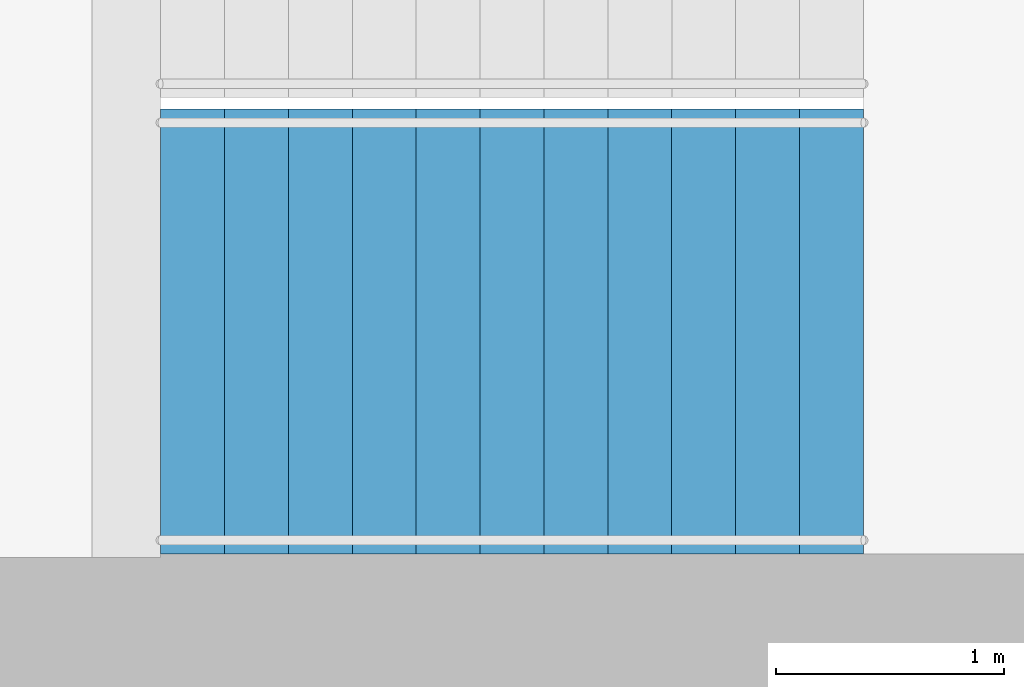
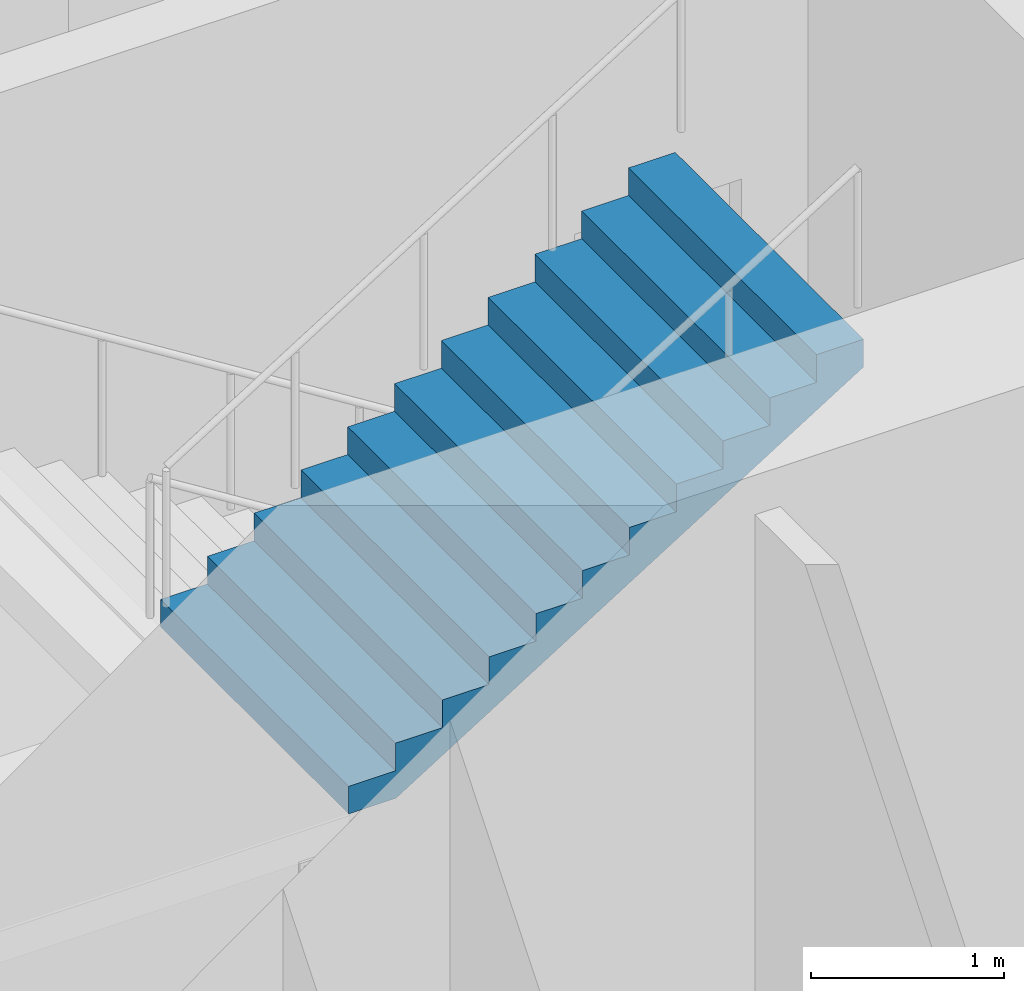
# One storey, part 21 of 23: 1 stair flight, 1 element without a shape of its own.
"""IFC4 building model written with IfcOpenShell, lengths in metres."""

from ifc_helpers import new_model, si_unit, direction, frame, origin, place, context, subcontext, project, spatial, triangles, material, type_object, element, aggregate, save


model = new_model("IFC4")

# Units and contexts
model_context = context("Model", 3, precision=1e-05, world=origin(), true_north=direction((0.0, 1.0)))
body_context = subcontext(model_context, "Body", "Model", "MODEL_VIEW")
ifc_project = project(units=[si_unit("LENGTHUNIT", "METRE"), si_unit("AREAUNIT", "SQUARE_METRE"), si_unit("VOLUMEUNIT", "CUBIC_METRE"), si_unit("PLANEANGLEUNIT", "RADIAN"), si_unit("MASSUNIT", "GRAM", prefix="KILO")], contexts=[model_context])

# Site, building, storey
site_placement = place(None, origin())
site = spatial("IfcSite", under=ifc_project, at=site_placement, CompositionType="ELEMENT")
building_placement = place(site_placement, origin())
building = spatial("IfcBuilding", under=site, at=building_placement, Name="Orbita Commons", CompositionType="ELEMENT")
storey_placement = place(building_placement, frame((0.0, 0.0, 16.0)))
storey = spatial("IfcBuildingStorey", under=building, at=storey_placement, Name="L03", CompositionType="ELEMENT", Elevation=16.0)

# Stair, stair flight
ifc_material_1 = material(Name="Precast concrete C40/50", Category="concrete")
stair_type = type_object("IfcStairType", Name="Exit stair S2 2 flights 12 risers 175", PredefinedType="HALF_TURN_STAIR", material=ifc_material_1)
stair_placement = place(storey_placement, origin())
stair = element("IfcStair", 1, at=stair_placement, inside=storey, type_object=stair_type, Name="Exit stair S2 L03", PredefinedType="HALF_TURN_STAIR")
ifc_material_2 = material(Name="Precast concrete C40/50", Category="concrete")
stair_flight_type = type_object("IfcStairFlightType", Name="Stair flight 12 risers 175 x 280", PredefinedType="STRAIGHT", material=ifc_material_2)
stair_flight_placement = place(storey_placement, frame((60.469970703125, 27.27490234375, 2.10009765625), z_axis=(0.0, 0.0, 1.0), x_axis=(1.0, 0.0, 0.0)))
stair_flight = element("IfcStairFlight", 2, at=stair_flight_placement, type_object=stair_flight_type, Name="S2 flight 2", NumberOfRisers=12, NumberOfTreads=11, PredefinedType="STRAIGHT", RiserHeight=0.175, TreadLength=0.28, context=body_context, shape_type="Tessellation", body=[
    triangles([(0.0, 0.974976, 0.0), (0.0, 0.974976, 0.021875), (0.0, 0.81248, 0.021875), (0.0, 0.81248, 0.0), (0.0, 0.649984, 0.021875), (0.0, 0.649984, 0.0), (0.0, 0.487488, 0.021875), (0.0, 0.487488, 0.0), (0.0, 0.324992, 0.021875), (0.0, 0.324992, 0.0), (0.0, 0.162496, 0.021875), (0.0, 0.162496, 0.0), (0.0, 0.0, 0.021875), (0.0, 0.0, 0.0), (0.0, -0.162496, 0.021875), (0.0, -0.162496, 0.0), (0.0, -0.324992, 0.021875), (0.0, -0.324992, 0.0), (0.0, -0.487488, 0.021875), (0.0, -0.487488, 0.0), (0.0, -0.649984, 0.021875), (0.0, -0.649984, 0.0), (0.0, -0.81248, 0.021875), (0.0, -0.81248, 0.0), (0.0, -0.974976, 0.021875), (0.0, -0.974976, 0.0), (0.0, 0.974976, 0.04375), (0.0, 0.81248, 0.04375), (0.0, 0.649984, 0.04375), (0.0, 0.487488, 0.04375), (0.0, 0.324992, 0.04375), (0.0, 0.162496, 0.04375), (0.0, 0.0, 0.04375), (0.0, -0.162496, 0.04375), (0.0, -0.324992, 0.04375), (0.0, -0.487488, 0.04375), (0.0, -0.649984, 0.04375), (0.0, -0.81248, 0.04375), (0.0, -0.974976, 0.04375), (0.0, 0.974976, 0.065625), (0.0, 0.81248, 0.065625), (0.0, 0.649984, 0.065625), (0.0, 0.487488, 0.065625), (0.0, 0.324992, 0.065625), (0.0, 0.162496, 0.065625), (0.0, 0.0, 0.065625), (0.0, -0.162496, 0.065625), (0.0, -0.324992, 0.065625), (0.0, -0.487488, 0.065625), (0.0, -0.649984, 0.065625), (0.0, -0.81248, 0.065625), (0.0, -0.974976, 0.065625), (0.0, 0.974976, 0.0875), (0.0, 0.81248, 0.0875), (0.0, 0.649984, 0.0875), (0.0, 0.487488, 0.0875), (0.0, 0.324992, 0.0875), (0.0, 0.162496, 0.0875), (0.0, 0.0, 0.0875), (0.0, -0.162496, 0.0875), (0.0, -0.324992, 0.0875), (0.0, -0.487488, 0.0875), (0.0, -0.649984, 0.0875), (0.0, -0.81248, 0.0875), (0.0, -0.974976, 0.0875), (0.0, 0.974976, 0.109375), (0.0, 0.81248, 0.109375), (0.0, 0.649984, 0.109375), (0.0, 0.487488, 0.109375), (0.0, 0.324992, 0.109375), (0.0, 0.162496, 0.109375), (0.0, 0.0, 0.109375), (0.0, -0.162496, 0.109375), (0.0, -0.324992, 0.109375), (0.0, -0.487488, 0.109375), (0.0, -0.649984, 0.109375), (0.0, -0.81248, 0.109375), (0.0, -0.974976, 0.109375), (0.0, 0.974976, 0.13125), (0.0, 0.81248, 0.13125), (0.0, 0.649984, 0.13125), (0.0, 0.487488, 0.13125), (0.0, 0.324992, 0.13125), (0.0, 0.162496, 0.13125), (0.0, 0.0, 0.13125), (0.0, -0.162496, 0.13125), (0.0, -0.324992, 0.13125), (0.0, -0.487488, 0.13125), (0.0, -0.649984, 0.13125), (0.0, -0.81248, 0.13125), (0.0, -0.974976, 0.13125), (0.0, 0.974976, 0.153125), (0.0, 0.81248, 0.153125), (0.0, 0.649984, 0.153125), (0.0, 0.487488, 0.153125), (0.0, 0.324992, 0.153125), (0.0, 0.162496, 0.153125), (0.0, 0.0, 0.153125), (0.0, -0.162496, 0.153125), (0.0, -0.324992, 0.153125), (0.0, -0.487488, 0.153125), (0.0, -0.649984, 0.153125), (0.0, -0.81248, 0.153125), (0.0, -0.974976, 0.153125), (0.0, 0.974976, 0.175), (0.0, 0.81248, 0.175), (0.0, 0.649984, 0.175), (0.0, 0.487488, 0.175), (0.0, 0.324992, 0.175), (0.0, 0.162496, 0.175), (0.0, 0.0, 0.175), (0.0, -0.162496, 0.175), (0.0, -0.324992, 0.175), (0.0, -0.487488, 0.175), (0.0, -0.649984, 0.175), (0.0, -0.81248, 0.175), (0.0, -0.974976, 0.175), (0.28, 0.974976, 0.175), (0.28, 0.81248, 0.175), (0.28, 0.649984, 0.175), (0.28, 0.487488, 0.175), (0.28, 0.324992, 0.175), (0.28, 0.162496, 0.175), (0.28, 0.0, 0.175), (0.28, -0.162496, 0.175), (0.28, -0.324992, 0.175), (0.28, -0.487488, 0.175), (0.28, -0.649984, 0.175), (0.28, -0.81248, 0.175), (0.28, -0.974976, 0.175), (0.28, 0.974976, 0.35), (0.28, 0.81248, 0.35), (0.28, 0.649984, 0.35), (0.28, 0.487488, 0.35), (0.28, 0.324992, 0.35), (0.28, 0.162496, 0.35), (0.28, 0.0, 0.35), (0.28, -0.162496, 0.35), (0.28, -0.324992, 0.35), (0.28, -0.487488, 0.35), (0.28, -0.649984, 0.35), (0.28, -0.81248, 0.35), (0.28, -0.974976, 0.35), (0.56, 0.974976, 0.35), (0.56, 0.81248, 0.35), (0.56, 0.649984, 0.35), (0.56, 0.487488, 0.35), (0.56, 0.324992, 0.35), (0.56, 0.162496, 0.35), (0.56, 0.0, 0.35), (0.56, -0.162496, 0.35), (0.56, -0.324992, 0.35), (0.56, -0.487488, 0.35), (0.56, -0.649984, 0.35), (0.56, -0.81248, 0.35), (0.56, -0.974976, 0.35), (0.56, 0.974976, 0.525), (0.56, 0.81248, 0.525), (0.56, 0.649984, 0.525), (0.56, 0.487488, 0.525), (0.56, 0.324992, 0.525), (0.56, 0.162496, 0.525), (0.56, 0.0, 0.525), (0.56, -0.162496, 0.525), (0.56, -0.324992, 0.525), (0.56, -0.487488, 0.525), (0.56, -0.649984, 0.525), (0.56, -0.81248, 0.525), (0.56, -0.974976, 0.525), (0.84, 0.974976, 0.525), (0.84, 0.81248, 0.525), (0.84, 0.649984, 0.525), (0.84, 0.487488, 0.525), (0.84, 0.324992, 0.525), (0.84, 0.162496, 0.525), (0.84, 0.0, 0.525), (0.84, -0.162496, 0.525), (0.84, -0.324992, 0.525), (0.84, -0.487488, 0.525), (0.84, -0.649984, 0.525), (0.84, -0.81248, 0.525), (0.84, -0.974976, 0.525), (0.84, 0.974976, 0.7), (0.84, 0.81248, 0.7), (0.84, 0.649984, 0.7), (0.84, 0.487488, 0.7), (0.84, 0.324992, 0.7), (0.84, 0.162496, 0.7), (0.84, 0.0, 0.7), (0.84, -0.162496, 0.7), (0.84, -0.324992, 0.7), (0.84, -0.487488, 0.7), (0.84, -0.649984, 0.7), (0.84, -0.81248, 0.7), (0.84, -0.974976, 0.7), (1.12, 0.974976, 0.7), (1.12, 0.81248, 0.7), (1.12, 0.649984, 0.7), (1.12, 0.487488, 0.7), (1.12, 0.324992, 0.7), (1.12, 0.162496, 0.7), (1.12, 0.0, 0.7), (1.12, -0.162496, 0.7), (1.12, -0.324992, 0.7), (1.12, -0.487488, 0.7), (1.12, -0.649984, 0.7), (1.12, -0.81248, 0.7), (1.12, -0.974976, 0.7), (1.12, 0.974976, 0.875), (1.12, 0.81248, 0.875), (1.12, 0.649984, 0.875), (1.12, 0.487488, 0.875), (1.12, 0.324992, 0.875), (1.12, 0.162496, 0.875), (1.12, 0.0, 0.875), (1.12, -0.162496, 0.875), (1.12, -0.324992, 0.875), (1.12, -0.487488, 0.875), (1.12, -0.649984, 0.875), (1.12, -0.81248, 0.875), (1.12, -0.974976, 0.875), (1.4, 0.974976, 0.875), (1.4, 0.81248, 0.875), (1.4, 0.649984, 0.875), (1.4, 0.487488, 0.875), (1.4, 0.324992, 0.875), (1.4, 0.162496, 0.875), (1.4, 0.0, 0.875), (1.4, -0.162496, 0.875), (1.4, -0.324992, 0.875), (1.4, -0.487488, 0.875), (1.4, -0.649984, 0.875), (1.4, -0.81248, 0.875), (1.4, -0.974976, 0.875), (1.4, 0.974976, 1.05), (1.4, 0.81248, 1.05), (1.4, 0.649984, 1.05), (1.4, 0.487488, 1.05), (1.4, 0.324992, 1.05), (1.4, 0.162496, 1.05), (1.4, 0.0, 1.05), (1.4, -0.162496, 1.05), (1.4, -0.324992, 1.05), (1.4, -0.487488, 1.05), (1.4, -0.649984, 1.05), (1.4, -0.81248, 1.05), (1.4, -0.974976, 1.05), (1.68, 0.974976, 1.05), (1.68, 0.81248, 1.05), (1.68, 0.649984, 1.05), (1.68, 0.487488, 1.05), (1.68, 0.324992, 1.05), (1.68, 0.162496, 1.05), (1.68, 0.0, 1.05), (1.68, -0.162496, 1.05), (1.68, -0.324992, 1.05), (1.68, -0.487488, 1.05), (1.68, -0.649984, 1.05), (1.68, -0.81248, 1.05), (1.68, -0.974976, 1.05), (1.68, 0.974976, 1.225), (1.68, 0.81248, 1.225), (1.68, 0.649984, 1.225), (1.68, 0.487488, 1.225), (1.68, 0.324992, 1.225), (1.68, 0.162496, 1.225), (1.68, 0.0, 1.225), (1.68, -0.162496, 1.225), (1.68, -0.324992, 1.225), (1.68, -0.487488, 1.225), (1.68, -0.649984, 1.225), (1.68, -0.81248, 1.225), (1.68, -0.974976, 1.225), (1.96, 0.974976, 1.225), (1.96, 0.81248, 1.225), (1.96, 0.649984, 1.225), (1.96, 0.487488, 1.225), (1.96, 0.324992, 1.225), (1.96, 0.162496, 1.225), (1.96, 0.0, 1.225), (1.96, -0.162496, 1.225), (1.96, -0.324992, 1.225), (1.96, -0.487488, 1.225), (1.96, -0.649984, 1.225), (1.96, -0.81248, 1.225), (1.96, -0.974976, 1.225), (1.96, 0.974976, 1.4), (1.96, 0.81248, 1.4), (1.96, 0.649984, 1.4), (1.96, 0.487488, 1.4), (1.96, 0.324992, 1.4), (1.96, 0.162496, 1.4), (1.96, 0.0, 1.4), (1.96, -0.162496, 1.4), (1.96, -0.324992, 1.4), (1.96, -0.487488, 1.4), (1.96, -0.649984, 1.4), (1.96, -0.81248, 1.4), (1.96, -0.974976, 1.4), (2.24, 0.974976, 1.4), (2.24, 0.81248, 1.4), (2.24, 0.649984, 1.4), (2.24, 0.487488, 1.4), (2.24, 0.324992, 1.4), (2.24, 0.162496, 1.4), (2.24, 0.0, 1.4), (2.24, -0.162496, 1.4), (2.24, -0.324992, 1.4), (2.24, -0.487488, 1.4), (2.24, -0.649984, 1.4), (2.24, -0.81248, 1.4), (2.24, -0.974976, 1.4), (2.24, 0.974976, 1.575), (2.24, 0.81248, 1.575), (2.24, 0.649984, 1.575), (2.24, 0.487488, 1.575), (2.24, 0.324992, 1.575), (2.24, 0.162496, 1.575), (2.24, 0.0, 1.575), (2.24, -0.162496, 1.575), (2.24, -0.324992, 1.575), (2.24, -0.487488, 1.575), (2.24, -0.649984, 1.575), (2.24, -0.81248, 1.575), (2.24, -0.974976, 1.575), (2.52, 0.974976, 1.575), (2.52, 0.81248, 1.575), (2.52, 0.649984, 1.575), (2.52, 0.487488, 1.575), (2.52, 0.324992, 1.575), (2.52, 0.162496, 1.575), (2.52, 0.0, 1.575), (2.52, -0.162496, 1.575), (2.52, -0.324992, 1.575), (2.52, -0.487488, 1.575), (2.52, -0.649984, 1.575), (2.52, -0.81248, 1.575), (2.52, -0.974976, 1.575), (2.52, 0.974976, 1.75), (2.52, 0.81248, 1.75), (2.52, 0.649984, 1.75), (2.52, 0.487488, 1.75), (2.52, 0.324992, 1.75), (2.52, 0.162496, 1.75), (2.52, 0.0, 1.75), (2.52, -0.162496, 1.75), (2.52, -0.324992, 1.75), (2.52, -0.487488, 1.75), (2.52, -0.649984, 1.75), (2.52, -0.81248, 1.75), (2.52, -0.974976, 1.75), (2.8, 0.974976, 1.75), (2.8, 0.81248, 1.75), (2.8, 0.649984, 1.75), (2.8, 0.487488, 1.75), (2.8, 0.324992, 1.75), (2.8, 0.162496, 1.75), (2.8, 0.0, 1.75), (2.8, -0.162496, 1.75), (2.8, -0.324992, 1.75), (2.8, -0.487488, 1.75), (2.8, -0.649984, 1.75), (2.8, -0.81248, 1.75), (2.8, -0.974976, 1.75), (2.8, 0.974976, 1.925), (2.8, 0.81248, 1.925), (2.8, 0.649984, 1.925), (2.8, 0.487488, 1.925), (2.8, 0.324992, 1.925), (2.8, 0.162496, 1.925), (2.8, 0.0, 1.925), (2.8, -0.162496, 1.925), (2.8, -0.324992, 1.925), (2.8, -0.487488, 1.925), (2.8, -0.649984, 1.925), (2.8, -0.81248, 1.925), (2.8, -0.974976, 1.925), (3.08, 0.974976, 1.925), (3.08, 0.81248, 1.925), (3.08, 0.649984, 1.925), (3.08, 0.487488, 1.925), (3.08, 0.324992, 1.925), (3.08, 0.162496, 1.925), (3.08, 0.0, 1.925), (3.08, -0.162496, 1.925), (3.08, -0.324992, 1.925), (3.08, -0.487488, 1.925), (3.08, -0.649984, 1.925), (3.08, -0.81248, 1.925), (3.08, -0.974976, 1.925), (3.08, 0.974976, 1.902904), (3.08, 0.81248, 1.902904), (3.08, 0.649984, 1.902904), (3.08, 0.487488, 1.902904), (3.08, 0.324992, 1.902904), (3.08, 0.162496, 1.902904), (3.08, 0.0, 1.902904), (3.08, -0.162496, 1.902904), (3.08, -0.324992, 1.902904), (3.08, -0.487488, 1.902904), (3.08, -0.649984, 1.902904), (3.08, -0.81248, 1.902904), (3.08, -0.974976, 1.902904), (3.08, 0.974976, 1.880807), (3.08, 0.81248, 1.880807), (3.08, 0.649984, 1.880807), (3.08, 0.487488, 1.880807), (3.08, 0.324992, 1.880807), (3.08, 0.162496, 1.880807), (3.08, 0.0, 1.880807), (3.08, -0.162496, 1.880807), (3.08, -0.324992, 1.880807), (3.08, -0.487488, 1.880807), (3.08, -0.649984, 1.880807), (3.08, -0.81248, 1.880807), (3.08, -0.974976, 1.880807), (3.08, 0.974976, 1.858711), (3.08, 0.81248, 1.858711), (3.08, 0.649984, 1.858711), (3.08, 0.487488, 1.858711), (3.08, 0.324992, 1.858711), (3.08, 0.162496, 1.858711), (3.08, 0.0, 1.858711), (3.08, -0.162496, 1.858711), (3.08, -0.324992, 1.858711), (3.08, -0.487488, 1.858711), (3.08, -0.649984, 1.858711), (3.08, -0.81248, 1.858711), (3.08, -0.974976, 1.858711), (3.08, 0.974976, 1.836614), (3.08, 0.81248, 1.836614), (3.08, 0.649984, 1.836614), (3.08, 0.487488, 1.836614), (3.08, 0.324992, 1.836614), (3.08, 0.162496, 1.836614), (3.08, 0.0, 1.836614), (3.08, -0.162496, 1.836614), (3.08, -0.324992, 1.836614), (3.08, -0.487488, 1.836614), (3.08, -0.649984, 1.836614), (3.08, -0.81248, 1.836614), (3.08, -0.974976, 1.836614), (3.08, 0.974976, 1.814518), (3.08, 0.81248, 1.814518), (3.08, 0.649984, 1.814518), (3.08, 0.487488, 1.814518), (3.08, 0.324992, 1.814518), (3.08, 0.162496, 1.814518), (3.08, 0.0, 1.814518), (3.08, -0.162496, 1.814518), (3.08, -0.324992, 1.814518), (3.08, -0.487488, 1.814518), (3.08, -0.649984, 1.814518), (3.08, -0.81248, 1.814518), (3.08, -0.974976, 1.814518), (3.08, 0.974976, 1.792421), (3.08, 0.81248, 1.792421), (3.08, 0.649984, 1.792421), (3.08, 0.487488, 1.792421), (3.08, 0.324992, 1.792421), (3.08, 0.162496, 1.792421), (3.08, 0.0, 1.792421), (3.08, -0.162496, 1.792421), (3.08, -0.324992, 1.792421), (3.08, -0.487488, 1.792421), (3.08, -0.649984, 1.792421), (3.08, -0.81248, 1.792421), (3.08, -0.974976, 1.792421), (3.08, 0.974976, 1.770325), (3.08, 0.81248, 1.770325), (3.08, 0.649984, 1.770325), (3.08, 0.487488, 1.770325), (3.08, 0.324992, 1.770325), (3.08, 0.162496, 1.770325), (3.08, 0.0, 1.770325), (3.08, -0.162496, 1.770325), (3.08, -0.324992, 1.770325), (3.08, -0.487488, 1.770325), (3.08, -0.649984, 1.770325), (3.08, -0.81248, 1.770325), (3.08, -0.974976, 1.770325), (3.08, 0.974976, 1.748228), (3.08, 0.81248, 1.748228), (3.08, 0.649984, 1.748228), (3.08, 0.487488, 1.748228), (3.08, 0.324992, 1.748228), (3.08, 0.162496, 1.748228), (3.08, 0.0, 1.748228), (3.08, -0.162496, 1.748228), (3.08, -0.324992, 1.748228), (3.08, -0.487488, 1.748228), (3.08, -0.649984, 1.748228), (3.08, -0.81248, 1.748228), (3.08, -0.974976, 1.748228), (0.282835, 0.974976, 0.0), (0.282835, 0.81248, 0.0), (0.282835, 0.649984, 0.0), (0.282835, 0.487488, 0.0), (0.282835, 0.324992, 0.0), (0.282835, 0.162496, 0.0), (0.282835, 0.0, 0.0), (0.282835, -0.162496, 0.0), (0.282835, -0.324992, 0.0), (0.282835, -0.487488, 0.0), (0.282835, -0.649984, 0.0), (0.282835, -0.81248, 0.0), (0.282835, -0.974976, 0.0)], [[3, 2, 1], [4, 3, 1], [5, 3, 4], [6, 5, 4], [7, 5, 6], [8, 7, 6], [9, 7, 8], [10, 9, 8], [11, 9, 10], [12, 11, 10], [13, 11, 12], [14, 13, 12], [15, 13, 14], [16, 15, 14], [17, 15, 16], [18, 17, 16], [19, 17, 18], [20, 19, 18], [21, 19, 20], [22, 21, 20], [23, 21, 22], [24, 23, 22], [25, 23, 24], [26, 25, 24], [28, 27, 2], [3, 28, 2], [29, 28, 3], [5, 29, 3], [30, 29, 5], [7, 30, 5], [31, 30, 7], [9, 31, 7], [32, 31, 9], [11, 32, 9], [33, 32, 11], [13, 33, 11], [34, 33, 13], [15, 34, 13], [35, 34, 15], [17, 35, 15], [36, 35, 17], [19, 36, 17], [37, 36, 19], [21, 37, 19], [38, 37, 21], [23, 38, 21], [39, 38, 23], [25, 39, 23], [41, 40, 27], [28, 41, 27], [42, 41, 28], [29, 42, 28], [43, 42, 29], [30, 43, 29], [44, 43, 30], [31, 44, 30], [45, 44, 31], [32, 45, 31], [46, 45, 32], [33, 46, 32], [47, 46, 33], [34, 47, 33], [48, 47, 34], [35, 48, 34], [49, 48, 35], [36, 49, 35], [50, 49, 36], [37, 50, 36], [51, 50, 37], [38, 51, 37], [52, 51, 38], [39, 52, 38], [54, 53, 40], [41, 54, 40], [55, 54, 41], [42, 55, 41], [56, 55, 42], [43, 56, 42], [57, 56, 43], [44, 57, 43], [58, 57, 44], [45, 58, 44], [59, 58, 45], [46, 59, 45], [60, 59, 46], [47, 60, 46], [61, 60, 47], [48, 61, 47], [62, 61, 48], [49, 62, 48], [63, 62, 49], [50, 63, 49], [64, 63, 50], [51, 64, 50], [65, 64, 51], [52, 65, 51], [67, 66, 53], [54, 67, 53], [68, 67, 54], [55, 68, 54], [69, 68, 55], [56, 69, 55], [70, 69, 56], [57, 70, 56], [71, 70, 57], [58, 71, 57], [72, 71, 58], [59, 72, 58], [73, 72, 59], [60, 73, 59], [74, 73, 60], [61, 74, 60], [75, 74, 61], [62, 75, 61], [76, 75, 62], [63, 76, 62], [77, 76, 63], [64, 77, 63], [78, 77, 64], [65, 78, 64], [80, 79, 66], [67, 80, 66], [81, 80, 67], [68, 81, 67], [82, 81, 68], [69, 82, 68], [83, 82, 69], [70, 83, 69], [84, 83, 70], [71, 84, 70], [85, 84, 71], [72, 85, 71], [86, 85, 72], [73, 86, 72], [87, 86, 73], [74, 87, 73], [88, 87, 74], [75, 88, 74], [89, 88, 75], [76, 89, 75], [90, 89, 76], [77, 90, 76], [91, 90, 77], [78, 91, 77], [93, 92, 79], [80, 93, 79], [94, 93, 80], [81, 94, 80], [95, 94, 81], [82, 95, 81], [96, 95, 82], [83, 96, 82], [97, 96, 83], [84, 97, 83], [98, 97, 84], [85, 98, 84], [99, 98, 85], [86, 99, 85], [100, 99, 86], [87, 100, 86], [101, 100, 87], [88, 101, 87], [102, 101, 88], [89, 102, 88], [103, 102, 89], [90, 103, 89], [104, 103, 90], [91, 104, 90], [106, 105, 92], [93, 106, 92], [107, 106, 93], [94, 107, 93], [108, 107, 94], [95, 108, 94], [109, 108, 95], [96, 109, 95], [110, 109, 96], [97, 110, 96], [111, 110, 97], [98, 111, 97], [112, 111, 98], [99, 112, 98], [113, 112, 99], [100, 113, 99], [114, 113, 100], [101, 114, 100], [115, 114, 101], [102, 115, 101], [116, 115, 102], [103, 116, 102], [117, 116, 103], [104, 117, 103], [119, 118, 105], [106, 119, 105], [120, 119, 106], [107, 120, 106], [121, 120, 107], [108, 121, 107], [122, 121, 108], [109, 122, 108], [123, 122, 109], [110, 123, 109], [124, 123, 110], [111, 124, 110], [125, 124, 111], [112, 125, 111], [126, 125, 112], [113, 126, 112], [127, 126, 113], [114, 127, 113], [128, 127, 114], [115, 128, 114], [129, 128, 115], [116, 129, 115], [130, 129, 116], [117, 130, 116], [132, 131, 118], [119, 132, 118], [133, 132, 119], [120, 133, 119], [134, 133, 120], [121, 134, 120], [135, 134, 121], [122, 135, 121], [136, 135, 122], [123, 136, 122], [137, 136, 123], [124, 137, 123], [138, 137, 124], [125, 138, 124], [139, 138, 125], [126, 139, 125], [140, 139, 126], [127, 140, 126], [141, 140, 127], [128, 141, 127], [142, 141, 128], [129, 142, 128], [143, 142, 129], [130, 143, 129], [145, 144, 131], [132, 145, 131], [146, 145, 132], [133, 146, 132], [147, 146, 133], [134, 147, 133], [148, 147, 134], [135, 148, 134], [149, 148, 135], [136, 149, 135], [150, 149, 136], [137, 150, 136], [151, 150, 137], [138, 151, 137], [152, 151, 138], [139, 152, 138], [153, 152, 139], [140, 153, 139], [154, 153, 140], [141, 154, 140], [155, 154, 141], [142, 155, 141], [156, 155, 142], [143, 156, 142], [158, 157, 144], [145, 158, 144], [159, 158, 145], [146, 159, 145], [160, 159, 146], [147, 160, 146], [161, 160, 147], [148, 161, 147], [162, 161, 148], [149, 162, 148], [163, 162, 149], [150, 163, 149], [164, 163, 150], [151, 164, 150], [165, 164, 151], [152, 165, 151], [166, 165, 152], [153, 166, 152], [167, 166, 153], [154, 167, 153], [168, 167, 154], [155, 168, 154], [169, 168, 155], [156, 169, 155], [171, 170, 157], [158, 171, 157], [172, 171, 158], [159, 172, 158], [173, 172, 159], [160, 173, 159], [174, 173, 160], [161, 174, 160], [175, 174, 161], [162, 175, 161], [176, 175, 162], [163, 176, 162], [177, 176, 163], [164, 177, 163], [178, 177, 164], [165, 178, 164], [179, 178, 165], [166, 179, 165], [180, 179, 166], [167, 180, 166], [181, 180, 167], [168, 181, 167], [182, 181, 168], [169, 182, 168], [184, 183, 170], [171, 184, 170], [185, 184, 171], [172, 185, 171], [186, 185, 172], [173, 186, 172], [187, 186, 173], [174, 187, 173], [188, 187, 174], [175, 188, 174], [189, 188, 175], [176, 189, 175], [190, 189, 176], [177, 190, 176], [191, 190, 177], [178, 191, 177], [192, 191, 178], [179, 192, 178], [193, 192, 179], [180, 193, 179], [194, 193, 180], [181, 194, 180], [195, 194, 181], [182, 195, 181], [197, 196, 183], [184, 197, 183], [198, 197, 184], [185, 198, 184], [199, 198, 185], [186, 199, 185], [200, 199, 186], [187, 200, 186], [201, 200, 187], [188, 201, 187], [202, 201, 188], [189, 202, 188], [203, 202, 189], [190, 203, 189], [204, 203, 190], [191, 204, 190], [205, 204, 191], [192, 205, 191], [206, 205, 192], [193, 206, 192], [207, 206, 193], [194, 207, 193], [208, 207, 194], [195, 208, 194], [210, 209, 196], [197, 210, 196], [211, 210, 197], [198, 211, 197], [212, 211, 198], [199, 212, 198], [213, 212, 199], [200, 213, 199], [214, 213, 200], [201, 214, 200], [215, 214, 201], [202, 215, 201], [216, 215, 202], [203, 216, 202], [217, 216, 203], [204, 217, 203], [218, 217, 204], [205, 218, 204], [219, 218, 205], [206, 219, 205], [220, 219, 206], [207, 220, 206], [221, 220, 207], [208, 221, 207], [223, 222, 209], [210, 223, 209], [224, 223, 210], [211, 224, 210], [225, 224, 211], [212, 225, 211], [226, 225, 212], [213, 226, 212], [227, 226, 213], [214, 227, 213], [228, 227, 214], [215, 228, 214], [229, 228, 215], [216, 229, 215], [230, 229, 216], [217, 230, 216], [231, 230, 217], [218, 231, 217], [232, 231, 218], [219, 232, 218], [233, 232, 219], [220, 233, 219], [234, 233, 220], [221, 234, 220], [236, 235, 222], [223, 236, 222], [237, 236, 223], [224, 237, 223], [238, 237, 224], [225, 238, 224], [239, 238, 225], [226, 239, 225], [240, 239, 226], [227, 240, 226], [241, 240, 227], [228, 241, 227], [242, 241, 228], [229, 242, 228], [243, 242, 229], [230, 243, 229], [244, 243, 230], [231, 244, 230], [245, 244, 231], [232, 245, 231], [246, 245, 232], [233, 246, 232], [247, 246, 233], [234, 247, 233], [249, 248, 235], [236, 249, 235], [250, 249, 236], [237, 250, 236], [251, 250, 237], [238, 251, 237], [252, 251, 238], [239, 252, 238], [253, 252, 239], [240, 253, 239], [254, 253, 240], [241, 254, 240], [255, 254, 241], [242, 255, 241], [256, 255, 242], [243, 256, 242], [257, 256, 243], [244, 257, 243], [258, 257, 244], [245, 258, 244], [259, 258, 245], [246, 259, 245], [260, 259, 246], [247, 260, 246], [262, 261, 248], [249, 262, 248], [263, 262, 249], [250, 263, 249], [264, 263, 250], [251, 264, 250], [265, 264, 251], [252, 265, 251], [266, 265, 252], [253, 266, 252], [267, 266, 253], [254, 267, 253], [268, 267, 254], [255, 268, 254], [269, 268, 255], [256, 269, 255], [270, 269, 256], [257, 270, 256], [271, 270, 257], [258, 271, 257], [272, 271, 258], [259, 272, 258], [273, 272, 259], [260, 273, 259], [275, 274, 261], [262, 275, 261], [276, 275, 262], [263, 276, 262], [277, 276, 263], [264, 277, 263], [278, 277, 264], [265, 278, 264], [279, 278, 265], [266, 279, 265], [280, 279, 266], [267, 280, 266], [281, 280, 267], [268, 281, 267], [282, 281, 268], [269, 282, 268], [283, 282, 269], [270, 283, 269], [284, 283, 270], [271, 284, 270], [285, 284, 271], [272, 285, 271], [286, 285, 272], [273, 286, 272], [288, 287, 274], [275, 288, 274], [289, 288, 275], [276, 289, 275], [290, 289, 276], [277, 290, 276], [291, 290, 277], [278, 291, 277], [292, 291, 278], [279, 292, 278], [293, 292, 279], [280, 293, 279], [294, 293, 280], [281, 294, 280], [295, 294, 281], [282, 295, 281], [296, 295, 282], [283, 296, 282], [297, 296, 283], [284, 297, 283], [298, 297, 284], [285, 298, 284], [299, 298, 285], [286, 299, 285], [301, 300, 287], [288, 301, 287], [302, 301, 288], [289, 302, 288], [303, 302, 289], [290, 303, 289], [304, 303, 290], [291, 304, 290], [305, 304, 291], [292, 305, 291], [306, 305, 292], [293, 306, 292], [307, 306, 293], [294, 307, 293], [308, 307, 294], [295, 308, 294], [309, 308, 295], [296, 309, 295], [310, 309, 296], [297, 310, 296], [311, 310, 297], [298, 311, 297], [312, 311, 298], [299, 312, 298], [314, 313, 300], [301, 314, 300], [315, 314, 301], [302, 315, 301], [316, 315, 302], [303, 316, 302], [317, 316, 303], [304, 317, 303], [318, 317, 304], [305, 318, 304], [319, 318, 305], [306, 319, 305], [320, 319, 306], [307, 320, 306], [321, 320, 307], [308, 321, 307], [322, 321, 308], [309, 322, 308], [323, 322, 309], [310, 323, 309], [324, 323, 310], [311, 324, 310], [325, 324, 311], [312, 325, 311], [327, 326, 313], [314, 327, 313], [328, 327, 314], [315, 328, 314], [329, 328, 315], [316, 329, 315], [330, 329, 316], [317, 330, 316], [331, 330, 317], [318, 331, 317], [332, 331, 318], [319, 332, 318], [333, 332, 319], [320, 333, 319], [334, 333, 320], [321, 334, 320], [335, 334, 321], [322, 335, 321], [336, 335, 322], [323, 336, 322], [337, 336, 323], [324, 337, 323], [338, 337, 324], [325, 338, 324], [340, 339, 326], [327, 340, 326], [341, 340, 327], [328, 341, 327], [342, 341, 328], [329, 342, 328], [343, 342, 329], [330, 343, 329], [344, 343, 330], [331, 344, 330], [345, 344, 331], [332, 345, 331], [346, 345, 332], [333, 346, 332], [347, 346, 333], [334, 347, 333], [348, 347, 334], [335, 348, 334], [349, 348, 335], [336, 349, 335], [350, 349, 336], [337, 350, 336], [351, 350, 337], [338, 351, 337], [353, 352, 339], [340, 353, 339], [354, 353, 340], [341, 354, 340], [355, 354, 341], [342, 355, 341], [356, 355, 342], [343, 356, 342], [357, 356, 343], [344, 357, 343], [358, 357, 344], [345, 358, 344], [359, 358, 345], [346, 359, 345], [360, 359, 346], [347, 360, 346], [361, 360, 347], [348, 361, 347], [362, 361, 348], [349, 362, 348], [363, 362, 349], [350, 363, 349], [364, 363, 350], [351, 364, 350], [366, 365, 352], [353, 366, 352], [367, 366, 353], [354, 367, 353], [368, 367, 354], [355, 368, 354], [369, 368, 355], [356, 369, 355], [370, 369, 356], [357, 370, 356], [371, 370, 357], [358, 371, 357], [372, 371, 358], [359, 372, 358], [373, 372, 359], [360, 373, 359], [374, 373, 360], [361, 374, 360], [375, 374, 361], [362, 375, 361], [376, 375, 362], [363, 376, 362], [377, 376, 363], [364, 377, 363], [379, 378, 365], [366, 379, 365], [380, 379, 366], [367, 380, 366], [381, 380, 367], [368, 381, 367], [382, 381, 368], [369, 382, 368], [383, 382, 369], [370, 383, 369], [384, 383, 370], [371, 384, 370], [385, 384, 371], [372, 385, 371], [386, 385, 372], [373, 386, 372], [387, 386, 373], [374, 387, 373], [388, 387, 374], [375, 388, 374], [389, 388, 375], [376, 389, 375], [390, 389, 376], [377, 390, 376], [392, 391, 378], [379, 392, 378], [393, 392, 379], [380, 393, 379], [394, 393, 380], [381, 394, 380], [395, 394, 381], [382, 395, 381], [396, 395, 382], [383, 396, 382], [397, 396, 383], [384, 397, 383], [398, 397, 384], [385, 398, 384], [399, 398, 385], [386, 399, 385], [400, 399, 386], [387, 400, 386], [401, 400, 387], [388, 401, 387], [402, 401, 388], [389, 402, 388], [403, 402, 389], [390, 403, 389], [405, 404, 391], [392, 405, 391], [406, 405, 392], [393, 406, 392], [407, 406, 393], [394, 407, 393], [408, 407, 394], [395, 408, 394], [409, 408, 395], [396, 409, 395], [410, 409, 396], [397, 410, 396], [411, 410, 397], [398, 411, 397], [412, 411, 398], [399, 412, 398], [413, 412, 399], [400, 413, 399], [414, 413, 400], [401, 414, 400], [415, 414, 401], [402, 415, 401], [416, 415, 402], [403, 416, 402], [418, 417, 404], [405, 418, 404], [419, 418, 405], [406, 419, 405], [420, 419, 406], [407, 420, 406], [421, 420, 407], [408, 421, 407], [422, 421, 408], [409, 422, 408], [423, 422, 409], [410, 423, 409], [424, 423, 410], [411, 424, 410], [425, 424, 411], [412, 425, 411], [426, 425, 412], [413, 426, 412], [427, 426, 413], [414, 427, 413], [428, 427, 414], [415, 428, 414], [429, 428, 415], [416, 429, 415], [431, 430, 417], [418, 431, 417], [432, 431, 418], [419, 432, 418], [433, 432, 419], [420, 433, 419], [434, 433, 420], [421, 434, 420], [435, 434, 421], [422, 435, 421], [436, 435, 422], [423, 436, 422], [437, 436, 423], [424, 437, 423], [438, 437, 424], [425, 438, 424], [439, 438, 425], [426, 439, 425], [440, 439, 426], [427, 440, 426], [441, 440, 427], [428, 441, 427], [442, 441, 428], [429, 442, 428], [444, 443, 430], [431, 444, 430], [445, 444, 431], [432, 445, 431], [446, 445, 432], [433, 446, 432], [447, 446, 433], [434, 447, 433], [448, 447, 434], [435, 448, 434], [449, 448, 435], [436, 449, 435], [450, 449, 436], [437, 450, 436], [451, 450, 437], [438, 451, 437], [452, 451, 438], [439, 452, 438], [453, 452, 439], [440, 453, 439], [454, 453, 440], [441, 454, 440], [455, 454, 441], [442, 455, 441], [457, 456, 443], [444, 457, 443], [458, 457, 444], [445, 458, 444], [459, 458, 445], [446, 459, 445], [460, 459, 446], [447, 460, 446], [461, 460, 447], [448, 461, 447], [462, 461, 448], [449, 462, 448], [463, 462, 449], [450, 463, 449], [464, 463, 450], [451, 464, 450], [465, 464, 451], [452, 465, 451], [466, 465, 452], [453, 466, 452], [467, 466, 453], [454, 467, 453], [468, 467, 454], [455, 468, 454], [470, 469, 456], [457, 470, 456], [471, 470, 457], [458, 471, 457], [472, 471, 458], [459, 472, 458], [473, 472, 459], [460, 473, 459], [474, 473, 460], [461, 474, 460], [475, 474, 461], [462, 475, 461], [476, 475, 462], [463, 476, 462], [477, 476, 463], [464, 477, 463], [478, 477, 464], [465, 478, 464], [479, 478, 465], [466, 479, 465], [480, 479, 466], [467, 480, 466], [481, 480, 467], [468, 481, 467], [483, 482, 469], [470, 483, 469], [484, 483, 470], [471, 484, 470], [485, 484, 471], [472, 485, 471], [486, 485, 472], [473, 486, 472], [487, 486, 473], [474, 487, 473], [488, 487, 474], [475, 488, 474], [489, 488, 475], [476, 489, 475], [490, 489, 476], [477, 490, 476], [491, 490, 477], [478, 491, 477], [492, 491, 478], [479, 492, 478], [493, 492, 479], [480, 493, 479], [494, 493, 480], [481, 494, 480], [496, 495, 482], [483, 496, 482], [497, 496, 483], [484, 497, 483], [498, 497, 484], [485, 498, 484], [499, 498, 485], [486, 499, 485], [500, 499, 486], [487, 500, 486], [501, 500, 487], [488, 501, 487], [502, 501, 488], [489, 502, 488], [503, 502, 489], [490, 503, 489], [504, 503, 490], [491, 504, 490], [505, 504, 491], [492, 505, 491], [506, 505, 492], [493, 506, 492], [507, 506, 493], [494, 507, 493], [4, 1, 495], [496, 4, 495], [6, 4, 496], [497, 6, 496], [8, 6, 497], [498, 8, 497], [10, 8, 498], [499, 10, 498], [12, 10, 499], [500, 12, 499], [14, 12, 500], [501, 14, 500], [16, 14, 501], [502, 16, 501], [18, 16, 502], [503, 18, 502], [20, 18, 503], [504, 20, 503], [22, 20, 504], [505, 22, 504], [24, 22, 505], [506, 24, 505], [26, 24, 506], [507, 26, 506], [482, 495, 1], [26, 507, 494], [469, 482, 1], [26, 494, 481], [456, 469, 1], [26, 481, 468], [443, 456, 1], [26, 468, 455], [430, 443, 1], [26, 455, 442], [417, 430, 1], [26, 442, 429], [404, 417, 1], [26, 429, 416], [391, 404, 1], [26, 416, 403], [365, 378, 391], [403, 390, 377], [352, 365, 391], [403, 377, 364], [326, 339, 352], [364, 351, 338], [326, 352, 391], [403, 364, 338], [300, 313, 326], [338, 325, 312], [300, 326, 391], [403, 338, 312], [274, 287, 300], [312, 299, 286], [274, 300, 391], [403, 312, 286], [248, 261, 274], [286, 273, 260], [248, 274, 391], [403, 286, 260], [222, 235, 248], [260, 247, 234], [222, 248, 391], [403, 260, 234], [196, 209, 222], [234, 221, 208], [196, 222, 391], [403, 234, 208], [170, 183, 196], [208, 195, 182], [170, 196, 391], [403, 208, 182], [144, 157, 170], [182, 169, 156], [144, 170, 391], [403, 182, 156], [118, 131, 144], [156, 143, 130], [118, 144, 391], [403, 156, 130], [118, 391, 1], [26, 403, 130], [92, 105, 118], [130, 117, 104], [79, 92, 118], [130, 104, 91], [66, 79, 118], [130, 91, 78], [53, 66, 118], [130, 78, 65], [40, 53, 118], [130, 65, 52], [27, 40, 118], [130, 52, 39], [2, 27, 118], [130, 39, 25], [1, 2, 118], [130, 25, 26]], closed=True),
])
aggregate(stair, [stair_flight])

save(model, "model.ifc")
